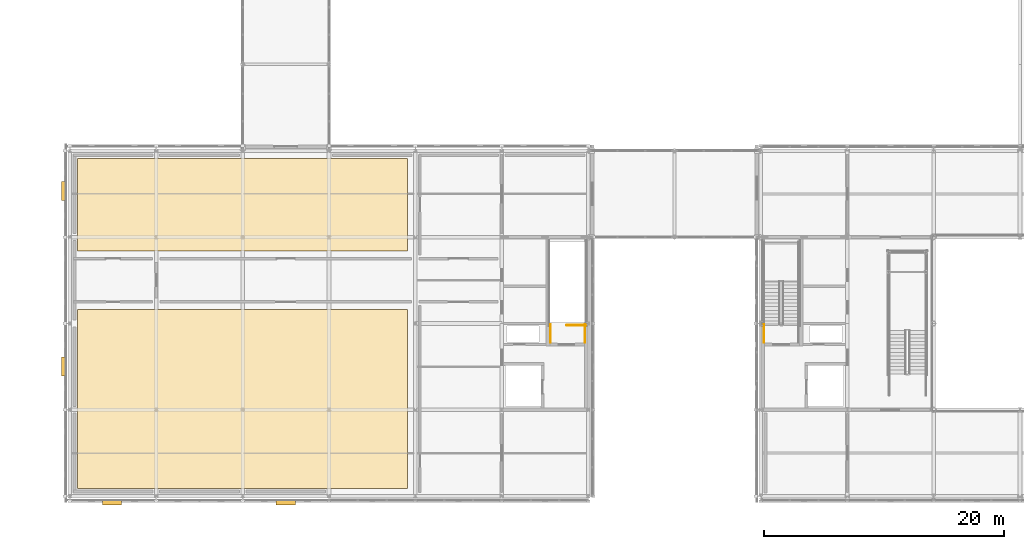
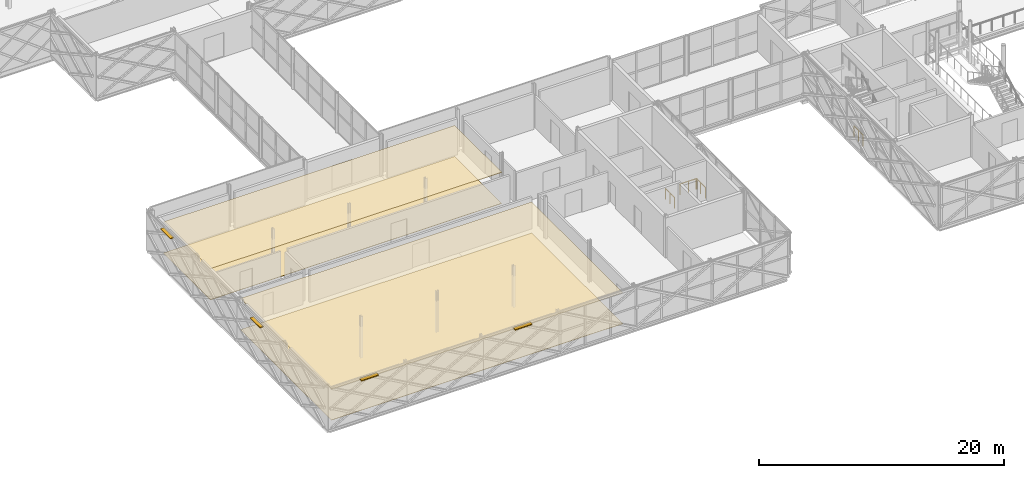
# One storey, part 116 of 126: 4 coverings, 4 railings, 4 shading devices.
"""IFC4 building model written with IfcOpenShell, lengths in metres."""

from ifc_helpers import new_model, si_unit, direction, frame, origin, origin_2d, place, context, subcontext, project, spatial, polyline, rectangle, circle, outline, extrude, material, layer, layer_set, type_object, element, save


model = new_model("IFC4")

# Units and contexts
model_context = context("Model", 3, precision=1e-05, world=origin(), true_north=direction((0.0, 1.0)))
body_context = subcontext(model_context, "Body", "Model", "MODEL_VIEW")
ifc_project = project(units=[si_unit("LENGTHUNIT", "METRE"), si_unit("AREAUNIT", "SQUARE_METRE"), si_unit("VOLUMEUNIT", "CUBIC_METRE"), si_unit("PLANEANGLEUNIT", "RADIAN"), si_unit("MASSUNIT", "GRAM", prefix="KILO")], contexts=[model_context])

# Site, building, storey
site_placement = place(None, origin())
site = spatial("IfcSite", under=ifc_project, at=site_placement, CompositionType="ELEMENT")
building_placement = place(site_placement, origin())
building = spatial("IfcBuilding", under=site, at=building_placement, Name="Zlatovets Crest Museum", CompositionType="ELEMENT")
storey_placement = place(building_placement, frame((0.0, 0.0, 8.699951171875)))
storey = spatial("IfcBuildingStorey", under=building, at=storey_placement, Name="L02", CompositionType="ELEMENT", Elevation=8.699951171875)

# Coverings
ifc_material_1 = material(Name="Micro-perforated gypsum acoustic gallery ceiling")
ifc_layer_1 = layer(ifc_material_1, 0.050048828125)
ifc_layer_set_1 = layer_set([ifc_layer_1], Name="Micro-perforated gypsum acoustic gallery ceiling")
covering_type_1 = type_object("IfcCoveringType", Name="GalleryCeiling_CLG1", PredefinedType="CEILING", material=ifc_layer_set_1)
covering_1_placement = place(storey_placement, frame((0.0, 0.0, 3.090087890625)))
element("IfcCovering", 1, at=covering_1_placement, inside=storey, type_object=covering_type_1, Name="Sofia Architectural Heritage Gallery Acoustic Ceiling", PredefinedType="CEILING", context=body_context, shape_type="SweptSolid", body=[
    extrude(outline(polyline([(0.64990234375, 0.64990234375), (28.14990234375, 0.64990234375), (28.14990234375, 15.550048828125), (0.64990234375, 15.550048828125), (0.64990234375, 0.64990234375)])), origin(), (0.0, 0.0, 1.0), 0.050048828125),
])
covering_2_placement = place(storey_placement, frame((0.0, 0.0, 3.090087890625)))
element("IfcCovering", 2, at=covering_2_placement, inside=storey, type_object=covering_type_1, Name="Industrial and Graphic Design Salon Acoustic Ceiling", PredefinedType="CEILING", context=body_context, shape_type="SweptSolid", body=[
    extrude(outline(polyline([(0.64990234375, 20.449951171875), (28.14990234375, 20.449951171875), (28.14990234375, 28.14990234375), (0.64990234375, 28.14990234375), (0.64990234375, 20.449951171875)])), origin(), (0.0, 0.0, 1.0), 0.050048828125),
])
ifc_material_2 = material(Name="Quarter-sawn European oak herringbone gallery parquet")
ifc_layer_2 = layer(ifc_material_2, 0.030029296875)
ifc_layer_set_2 = layer_set([ifc_layer_2], Name="Quarter-sawn European oak herringbone gallery parquet")
covering_type_2 = type_object("IfcCoveringType", Name="GalleryFloor_FLR1", PredefinedType="FLOORING", material=ifc_layer_set_2)
covering_3_placement = place(storey_placement, origin())
element("IfcCovering", 3, at=covering_3_placement, inside=storey, type_object=covering_type_2, Name="Sofia Architectural Heritage Gallery Floor Finish", PredefinedType="FLOORING", context=body_context, shape_type="SweptSolid", body=[
    extrude(outline(polyline([(0.64990234375, 0.64990234375), (28.14990234375, 0.64990234375), (28.14990234375, 15.550048828125), (0.64990234375, 15.550048828125), (0.64990234375, 0.64990234375)])), origin(), (0.0, 0.0, 1.0), 0.030029296875),
])
covering_4_placement = place(storey_placement, origin())
element("IfcCovering", 4, at=covering_4_placement, inside=storey, type_object=covering_type_2, Name="Industrial and Graphic Design Salon Floor Finish", PredefinedType="FLOORING", context=body_context, shape_type="SweptSolid", body=[
    extrude(outline(polyline([(0.64990234375, 20.449951171875), (28.14990234375, 20.449951171875), (28.14990234375, 28.14990234375), (0.64990234375, 28.14990234375), (0.64990234375, 20.449951171875)])), origin(), (0.0, 0.0, 1.0), 0.030029296875),
])

# Railings
ifc_material_3 = material(Name="Painted steel safety guardrail", Category="steel")
railing_type = type_object("IfcRailingType", Name="StairGuard_SG01", PredefinedType="GUARDRAIL", material=ifc_material_3)
railing_1_placement = place(storey_placement, frame((57.85009765625, 12.800048828125, 0.0)))
element("IfcRailing", 5, at=railing_1_placement, inside=storey, type_object=railing_type, Name="L02 ST2 stair guard 8", PredefinedType="GUARDRAIL", context=body_context, shape_type="SweptSolid", body=[
    extrude(circle(Radius=0.02392578125, at=origin_2d()), frame((0.0, 0.0, 1.076171875), z_axis=(0.0, 1.0, 0.0), x_axis=(-1.0, 0.0, 0.0)), (0.0, 0.0, 1.0), 1.5),
    extrude(circle(Radius=0.02099609375, at=origin_2d()), origin(), (0.0, 0.0, 1.0), 1.052001953125),
    extrude(circle(Radius=0.02099609375, at=origin_2d()), frame((0.0, 0.75, 0.0)), (0.0, 0.0, 1.0), 1.052001953125),
    extrude(circle(Radius=0.02099609375, at=origin_2d()), frame((0.0, 1.5, 0.0)), (0.0, 0.0, 1.0), 1.052001953125),
])
railing_2_placement = place(storey_placement, frame((43.0, 14.25, 0.0)))
element("IfcRailing", 6, at=railing_2_placement, inside=storey, type_object=railing_type, Name="L02 ST3 top well guard 1", PredefinedType="GUARDRAIL", context=body_context, shape_type="SweptSolid", body=[
    extrude(circle(Radius=0.02392578125, at=origin_2d()), frame((0.0, 0.0, 1.076171875), z_axis=(-1.0, 0.0, 0.0), x_axis=(0.0, -1.0, 0.0)), (0.0, 0.0, 1.0), 1.60009765625),
    extrude(circle(Radius=0.02099609375, at=origin_2d()), origin(), (0.0, 0.0, 1.0), 1.052001953125),
    extrude(circle(Radius=0.02099609375, at=origin_2d()), frame((-0.800048828125, 0.0, 0.0)), (0.0, 0.0, 1.0), 1.052001953125),
    extrude(circle(Radius=0.02099609375, at=origin_2d()), frame((-1.60009765625, 0.0, 0.0)), (0.0, 0.0, 1.0), 1.052001953125),
])
for number, where, name in (
    (7, (42.949951171875, 12.800048828125, 0.0), "L02 ST3 top well guard 4"),
    (8, (40.050048828125, 12.800048828125, 0.0), "L02 ST3 top well guard 5"),
):
    element("IfcRailing", number, at=place(storey_placement, frame(where)), inside=storey, type_object=railing_type, Name=name, PredefinedType="GUARDRAIL", context=body_context, shape_type="SweptSolid", body=[
        extrude(circle(Radius=0.02392578125, at=origin_2d()), frame((0.0, 0.0, 1.076171875), z_axis=(0.0, 1.0, 0.0), x_axis=(-1.0, 0.0, 0.0)), (0.0, 0.0, 1.0), 1.5),
        extrude(circle(Radius=0.02099609375, at=origin_2d()), origin(), (0.0, 0.0, 1.0), 1.052001953125),
        extrude(circle(Radius=0.02099609375, at=origin_2d()), frame((0.0, 0.75, 0.0)), (0.0, 0.0, 1.0), 1.052001953125),
        extrude(circle(Radius=0.02099609375, at=origin_2d()), frame((0.0, 1.5, 0.0)), (0.0, 0.0, 1.0), 1.052001953125),
    ])

# Shading devices
ifc_material_4 = material(Name="Patinated bronze solar-control louvre", Category="aluminium")
shading_device_type = type_object("IfcShadingDeviceType", Name="SunLouvre_SL01", PredefinedType="JALOUSIE", material=ifc_material_4)
for number, where, z_axis, x_axis, name in (
    (9, (3.5, -0.5400390625, 4.010009765625), (0.0, 0.0, 1.0), (1.0, 0.0, 0.0), "Bronze Solar-Control Louvre Hood"),
    (10, (18.0, -0.5400390625, 4.010009765625), (0.0, 0.0, 1.0), (1.0, 0.0, 0.0), "Bronze Solar-Control Louvre Hood"),
    (11, (-0.5400390625, 25.43994140625, 4.010009765625), (0.0, 0.0, 1.0), (0.0, 1.0, 0.0), "Bronze Solar-Control Louvre Hood"),
    (12, (-0.5400390625, 10.800048828125, 4.010009765625), (0.0, 0.0, 1.0), (0.0, 1.0, 0.0), "Bronze Solar-Control Louvre Hood"),
):
    element("IfcShadingDevice", number, at=place(storey_placement, frame(where, z_axis=z_axis, x_axis=x_axis)), inside=storey, type_object=shading_device_type, Name=name, PredefinedType="JALOUSIE", context=body_context, shape_type="SweptSolid", body=[
        extrude(rectangle(XDim=1.60009765625, YDim=0.35009765625, at=origin_2d()), origin(), (0.0, 0.0, 1.0), 0.080078125),
    ])

save(model, "model.ifc")
